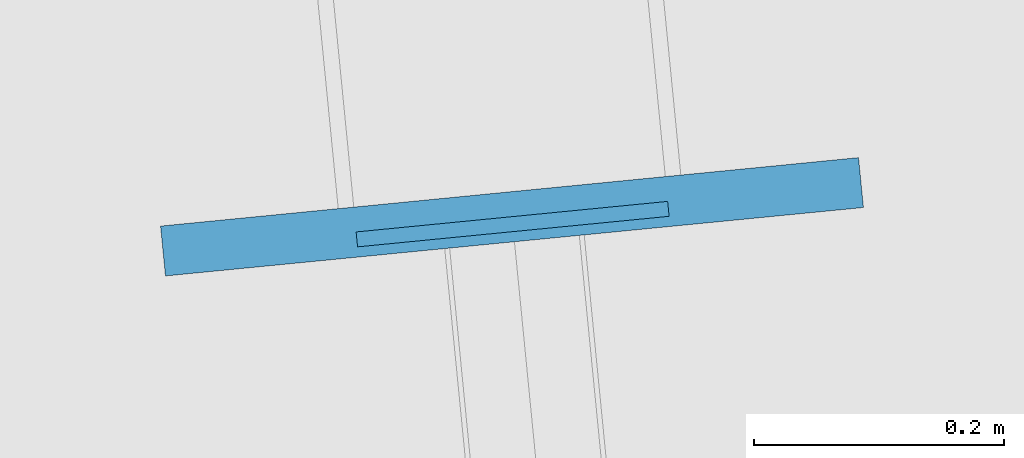
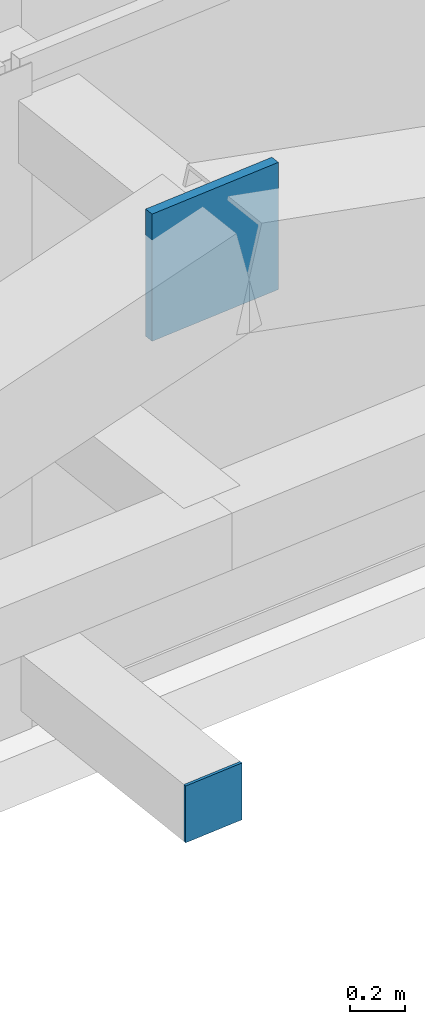
# One storey, part 39 of 54: 2 plates.
"""IFC4 building model written with IfcOpenShell, lengths in metres."""

from ifc_helpers import new_model, si_unit, direction, frame, origin, origin_2d, place, context, subcontext, project, spatial, rectangle, extrude, source, transform, mapped, material, layer, layer_set, type_object, element, save


model = new_model("IFC4")

# Units and contexts
model_context = context("Model", 3, precision=1e-05, world=origin(), true_north=direction((0.0, 1.0)))
body_context = subcontext(model_context, "Body", "Model", "MODEL_VIEW")
ifc_project = project(units=[si_unit("LENGTHUNIT", "METRE"), si_unit("AREAUNIT", "SQUARE_METRE"), si_unit("VOLUMEUNIT", "CUBIC_METRE"), si_unit("PLANEANGLEUNIT", "RADIAN"), si_unit("MASSUNIT", "GRAM", prefix="KILO")], contexts=[model_context])

# Site, building, storey
site_placement = place(None, origin())
site = spatial("IfcSite", under=ifc_project, at=site_placement, CompositionType="ELEMENT")
building_placement = place(site_placement, origin())
building = spatial("IfcBuilding", under=site, at=building_placement, Name="Taldren Reach Tower", CompositionType="ELEMENT")
storey_placement = place(building_placement, frame((0.0, 0.0, 102.89990234375)))
storey = spatial("IfcBuildingStorey", under=building, at=storey_placement, Name="L31", CompositionType="ELEMENT", Elevation=102.89990234375)

# Plates
ifc_material_1 = material(Name="Steel Gr 450 (C450L0)", Category="steel")
ifc_layer_1 = layer(ifc_material_1, 0.0400390625)
ifc_layer_set_1 = layer_set([ifc_layer_1], Name="Steel Gr 450 (C450L0)")
plate_type_1 = type_object("IfcPlateType", Name="PL-GUSSET-40", PredefinedType="SHEET", material=ifc_layer_set_1)
shared_shape_1 = source(origin(), body_context, "Body", "SweptSolid", [
    extrude(rectangle(XDim=0.56005859375, YDim=0.0400390625, at=origin_2d()), origin(), (0.0, 0.0, 1.0), 0.56005859375),
])
plate_1_placement = place(storey_placement, frame((34.35302734375, 0.2666015625, 2.3701171875), z_axis=(0.0, 0.0, 1.0), x_axis=(0.995227399982, 0.097582899759, 0.0)))
element("IfcPlate", 1, at=plate_1_placement, inside=storey, type_object=plate_type_1, Name="Exoskeleton star-node gusset plate B2-S3 L31", PredefinedType="SHEET", context=body_context, shape_type="MappedRepresentation", body=[
    mapped(shared_shape_1, transform((0.0, 0.0, 0.0), scale=1.0)),
])
ifc_material_2 = material(Name="Steel Gr 350 (C350L0)", Category="steel")
ifc_layer_2 = layer(ifc_material_2, 0.011962890625)
ifc_layer_set_2 = layer_set([ifc_layer_2], Name="Steel Gr 350 (C350L0)")
plate_type_2 = type_object("IfcPlateType", Name="PL-CAP-250", PredefinedType="SHEET", material=ifc_layer_set_2)
shared_shape_2 = source(origin(), body_context, "Body", "SweptSolid", [
    extrude(rectangle(XDim=0.25, YDim=0.011962890625, at=origin_2d()), origin(), (0.0, 0.0, 1.0), 0.25),
])
plate_2_placement = place(storey_placement, frame((34.353515625, 0.2607421875, 0.09521484375), z_axis=(0.0, 0.0, 1.0), x_axis=(0.995227399982, 0.097582899759, 0.0)))
element("IfcPlate", 2, at=plate_2_placement, inside=storey, type_object=plate_type_2, Name="Tie strut end cap plate B2-S3 L31", PredefinedType="SHEET", context=body_context, shape_type="MappedRepresentation", body=[
    mapped(shared_shape_2, transform((0.0, 0.0, 0.0), scale=1.0)),
])

save(model, "model.ifc")
